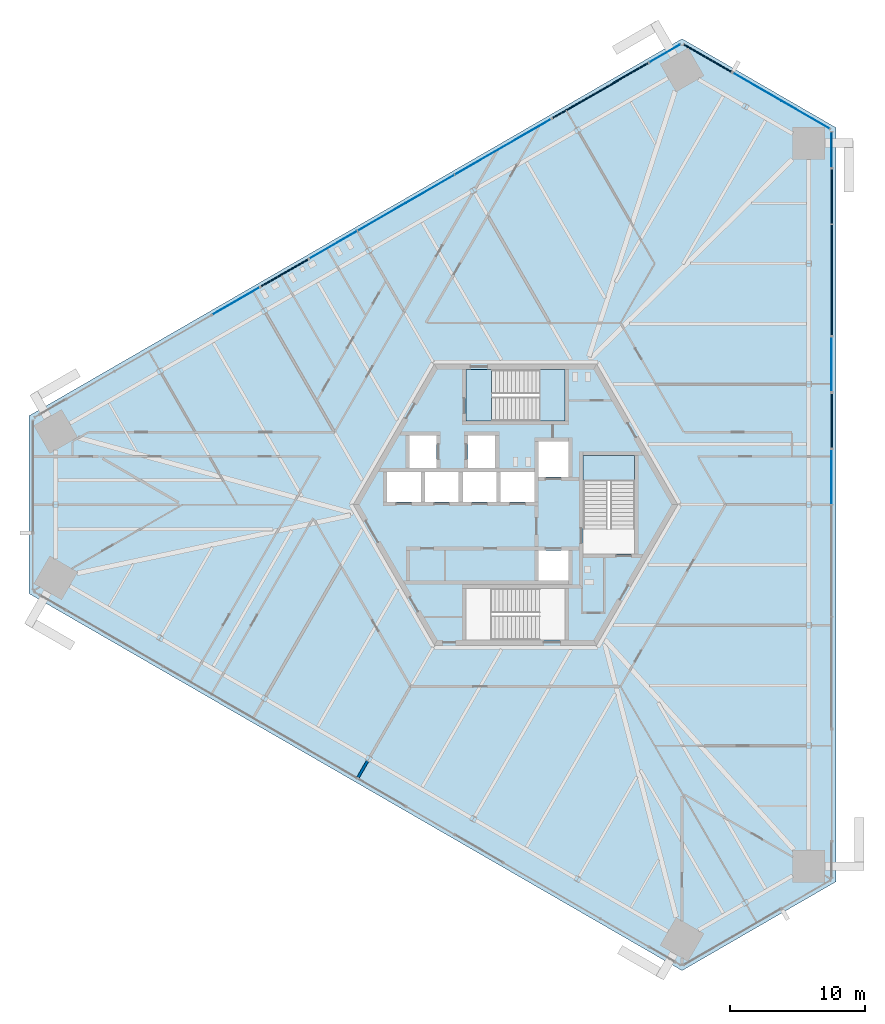
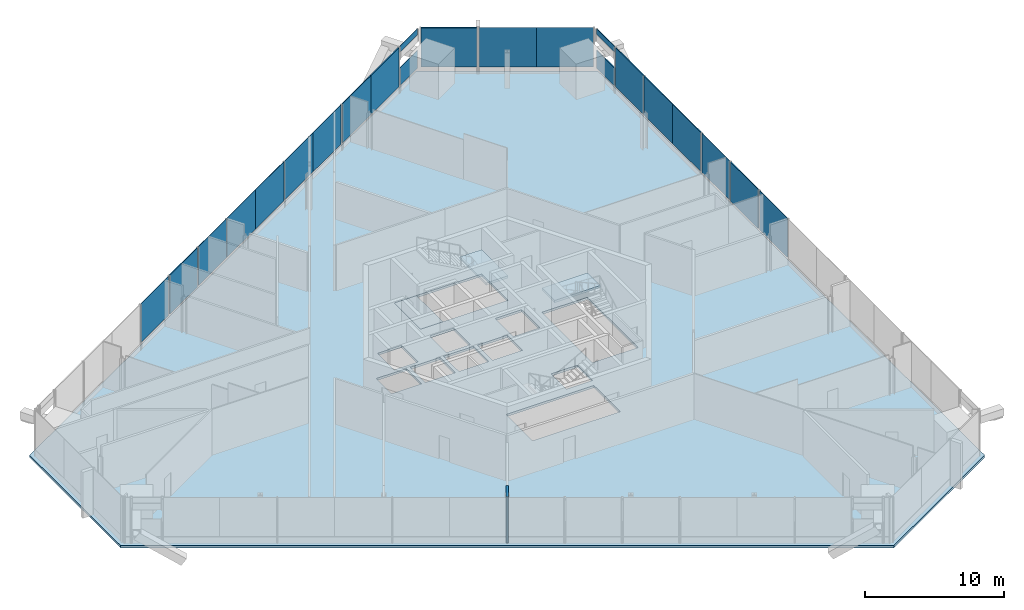
# One storey, part 15 of 22: 22 plates, 4 slabs, 1 wall, 16 elements without a shape of their own.
"""IFC4 building model written with IfcOpenShell, lengths in metres."""

from ifc_helpers import new_model, si_unit, direction, frame, frame_2d, origin, origin_2d, place, context, subcontext, project, spatial, polyline, rectangle, outline, extrude, source, transform, mapped, material, layer, layer_set, type_object, element, aggregate, save


model = new_model("IFC4")

# Units and contexts
model_context = context("Model", 3, precision=1e-05, world=origin(), true_north=direction((0.0, 1.0)))
body_context = subcontext(model_context, "Body", "Model", "MODEL_VIEW")
ifc_project = project(units=[si_unit("LENGTHUNIT", "METRE"), si_unit("AREAUNIT", "SQUARE_METRE"), si_unit("VOLUMEUNIT", "CUBIC_METRE"), si_unit("PLANEANGLEUNIT", "RADIAN"), si_unit("MASSUNIT", "GRAM", prefix="KILO")], contexts=[model_context])

# Site, building, storey
site_placement = place(None, origin())
site = spatial("IfcSite", under=ifc_project, at=site_placement, CompositionType="ELEMENT")
building_placement = place(site_placement, origin())
building = spatial("IfcBuilding", under=site, at=building_placement, Name="Triune Harvest Tower", CompositionType="ELEMENT")
storey_placement = place(building_placement, frame((0.0, 0.0, 50.39990234375)))
storey = spatial("IfcBuildingStorey", under=building, at=storey_placement, Name="L11", CompositionType="ELEMENT", Elevation=50.39990234375)

# Curtain wall, plate
ifc_material_1 = material(Name="Aluminium bronze anodised", Category="aluminium")
curtain_wall_type_1 = type_object("IfcCurtainWallType", Name="CW-3 Farm floor curtain wall", PredefinedType="NOTDEFINED", material=ifc_material_1)
curtain_wall_1_placement = place(storey_placement, origin())
curtain_wall_1 = element("IfcCurtainWall", 1, at=curtain_wall_1_placement, inside=storey, type_object=curtain_wall_type_1, Name="CW-3 B1-F3 L11 run 1")
ifc_material_2 = material(Name="Glass", Category="glass")
ifc_layer_1 = layer(ifc_material_2, 0.035888671875)
ifc_layer_set_1 = layer_set([ifc_layer_1], Name="Glass")
plate_type_1 = type_object("IfcPlateType", Name="GL-3 panel 36", PredefinedType="CURTAIN_PANEL", material=ifc_layer_set_1)
plate_1_placement = place(storey_placement, frame((11.046630859375, 33.36474609375, 0.60009765625), z_axis=(0.0, 0.0, 1.0), x_axis=(-0.866032176822, -0.499988268572, 0.0)))
plate_1 = element("IfcPlate", 2, at=plate_1_placement, type_object=plate_type_1, Name="CW-3 panel B1-F3 1.1", PredefinedType="CURTAIN_PANEL", context=body_context, shape_type="SweptSolid", body=[
    extrude(rectangle(XDim=2.575439453125, YDim=0.035888671875, at=origin_2d()), origin(), (0.0, 0.0, 1.0), 1.56494140625),
])
aggregate(curtain_wall_1, [plate_1])

# Slab
ifc_material_3 = material(Name="Concrete 40 MPa", Category="concrete")
ifc_layer_2 = layer(ifc_material_3, 0.199951171875)
ifc_layer_set_2 = layer_set([ifc_layer_2], Name="Concrete 40 MPa")
slab_type_1 = type_object("IfcSlabType", Name="SL-3 Composite floor slab 200", PredefinedType="FLOOR", material=ifc_layer_set_2)
shared_shape_1 = source(origin(), body_context, "Body", "SweptSolid", [
    extrude(outline(polyline([(23.67138671875, -27.8798828125), (23.67138671875, 27.8798828125), (12.30908203125, 34.43994140625), (-35.98046875, 6.56005859375), (-35.98046875, -6.56005859375), (12.30908203125, -34.43994140625), (23.67138671875, -27.8798828125)]), holes=[polyline([(-7.0, 0.2099609375), (-7.0, 2.409912109375), (-9.5, 2.409912109375), (-9.5, 0.2099609375), (-7.0, 0.2099609375)]), polyline([(-4.199951171875, 0.2099609375), (-4.199951171875, 2.409912109375), (-6.699951171875, 2.409912109375), (-6.699951171875, 0.2099609375), (-4.199951171875, 0.2099609375)]), polyline([(-1.39990234375, 0.2099609375), (-1.39990234375, 2.409912109375), (-3.89990234375, 2.409912109375), (-3.89990234375, 0.2099609375), (-1.39990234375, 0.2099609375)]), polyline([(1.39990234375, 0.2099609375), (1.39990234375, 2.409912109375), (-1.10009765625, 2.409912109375), (-1.10009765625, 0.2099609375), (1.39990234375, 0.2099609375)]), polyline([(3.89990234375, 2.06005859375), (3.89990234375, 4.659912109375), (1.699951171875, 4.659912109375), (1.699951171875, 2.06005859375), (3.89990234375, 2.06005859375)]), polyline([(3.89990234375, -5.590087890625), (3.89990234375, -3.389892578125), (1.699951171875, -3.389892578125), (1.699951171875, -5.590087890625), (3.89990234375, -5.590087890625)]), polyline([(-5.85009765625, 2.7099609375), (-5.85009765625, 5.110107421875), (-7.85009765625, 5.110107421875), (-7.85009765625, 2.7099609375), (-5.85009765625, 2.7099609375)]), polyline([(-1.5, 2.7099609375), (-1.5, 5.110107421875), (-3.5, 5.110107421875), (-3.5, 2.7099609375), (-1.5, 2.7099609375)]), polyline([(3.64990234375, 6.18994140625), (3.64990234375, 9.989990234375), (-3.64990234375, 9.989990234375), (-3.64990234375, 6.18994140625), (3.64990234375, 6.18994140625)]), polyline([(3.64990234375, -9.989990234375), (3.64990234375, -6.18994140625), (-3.64990234375, -6.18994140625), (-3.64990234375, -9.989990234375), (3.64990234375, -9.989990234375)]), polyline([(8.800048828125, -3.64990234375), (8.800048828125, 3.64990234375), (5.0, 3.64990234375), (5.0, -3.64990234375), (8.800048828125, -3.64990234375)])]), origin(), (0.0, 0.0, 1.0), 0.199951171875),
])
slab_1_placement = place(storey_placement, frame((0.0, 0.0, -0.199951171875)))
element("IfcSlab", 3, at=slab_1_placement, inside=storey, type_object=slab_type_1, Name="slab/L11/1", PredefinedType="FLOOR", context=body_context, shape_type="MappedRepresentation", body=[
    mapped(shared_shape_1, transform((0.0, 0.0, 0.0), scale=1.0)),
])

# Stair, slabs
ifc_material_4 = material(Name="Concrete 40 MPa", Category="concrete")
stair_type = type_object("IfcStairType", Name="Exit stair 1800 half turn", PredefinedType="HALF_TURN_STAIR", material=ifc_material_4)
stair_1_placement = place(storey_placement, origin())
stair_1 = element("IfcStair", 4, at=stair_1_placement, inside=storey, type_object=stair_type, Name="Exit stair north", PredefinedType="HALF_TURN_STAIR")
ifc_material_5 = material(Name="Concrete 40 MPa", Category="concrete")
ifc_layer_3 = layer(ifc_material_5, 0.199951171875)
ifc_layer_set_3 = layer_set([ifc_layer_3], Name="Concrete 40 MPa")
slab_type_2 = type_object("IfcSlabType", Name="Stair landing 200", PredefinedType="LANDING", material=ifc_layer_set_3)
shared_shape_2 = source(origin(), body_context, "Body", "SweptSolid", [
    extrude(outline(polyline([(-3.64990234375, 6.18994140625), (-1.780029296875, 6.18994140625), (-1.780029296875, 9.989990234375), (-3.64990234375, 9.989990234375), (-3.64990234375, 6.18994140625)])), origin(), (0.0, 0.0, 1.0), 0.199951171875),
])
slab_2_placement = place(storey_placement, frame((0.0, 0.0, -0.199951171875)))
slab_2 = element("IfcSlab", 5, at=slab_2_placement, type_object=slab_type_2, Name="ST-1 landing 1", PredefinedType="LANDING", context=body_context, shape_type="MappedRepresentation", body=[
    mapped(shared_shape_2, transform((0.0, 0.0, 0.0), scale=1.0)),
])
shared_shape_3 = source(origin(), body_context, "Body", "SweptSolid", [
    extrude(outline(polyline([(1.81005859375, 6.18994140625), (3.64990234375, 6.18994140625), (3.64990234375, 9.989990234375), (1.81005859375, 9.989990234375), (1.81005859375, 6.18994140625)])), origin(), (0.0, 0.0, 1.0), 0.199951171875),
])
slab_3_placement = place(storey_placement, frame((0.0, 0.0, 1.9501953125)))
slab_3 = element("IfcSlab", 6, at=slab_3_placement, type_object=slab_type_2, Name="ST-1 landing 2", PredefinedType="LANDING", context=body_context, shape_type="MappedRepresentation", body=[
    mapped(shared_shape_3, transform((0.0, 0.0, 0.0), scale=1.0)),
])
aggregate(stair_1, [slab_2, slab_3])

# Stair, slab
stair_2_placement = place(storey_placement, origin())
stair_2 = element("IfcStair", 7, at=stair_2_placement, inside=storey, type_object=stair_type, Name="Exit stair east", PredefinedType="HALF_TURN_STAIR")
shared_shape_4 = source(origin(), body_context, "Body", "SweptSolid", [
    extrude(outline(polyline([(8.800048828125, 1.81005859375), (8.800048828125, 3.64990234375), (5.0, 3.64990234375), (5.0, 1.81005859375), (8.800048828125, 1.81005859375)])), origin(), (0.0, 0.0, 1.0), 0.199951171875),
])
slab_4_placement = place(storey_placement, frame((0.0, 0.0, 1.9501953125)))
slab_4 = element("IfcSlab", 8, at=slab_4_placement, type_object=slab_type_2, Name="ST-3 landing 2", PredefinedType="LANDING", context=body_context, shape_type="MappedRepresentation", body=[
    mapped(shared_shape_4, transform((0.0, 0.0, 0.0), scale=1.0)),
])
aggregate(stair_2, [slab_4])

# Curtain wall, plate
ifc_material_6 = material(Name="Aluminium bronze anodised", Category="aluminium")
curtain_wall_type_2 = type_object("IfcCurtainWallType", Name="CW-8 Farm floor curtain wall with insulated spandrel infill", PredefinedType="NOTDEFINED", material=ifc_material_6)
curtain_wall_2_placement = place(storey_placement, origin())
curtain_wall_2 = element("IfcCurtainWall", 9, at=curtain_wall_2_placement, inside=storey, type_object=curtain_wall_type_2, Name="CW-8 B1-F1 L11 run 301")
ifc_material_7 = material(Name="Insulated spandrel panel, bronze aluminium pan", Category="aluminium")
ifc_layer_4 = layer(ifc_material_7, 0.080078125)
ifc_layer_set_4 = layer_set([ifc_layer_4], Name="Insulated spandrel panel, bronze aluminium pan")
plate_type_2 = type_object("IfcPlateType", Name="SP-1 insulated spandrel panel 80", PredefinedType="CURTAIN_PANEL", material=ifc_layer_set_4)
shared_shape_5 = source(origin(), body_context, "Body", "SweptSolid", [
    extrude(rectangle(XDim=2.575439453125, YDim=0.080078125, at=origin_2d()), origin(), (0.0, 0.0, 1.0), 1.56494140625),
])
plate_2_placement = place(storey_placement, frame((23.371337890625, 26.2490234375, 0.60009765625), z_axis=(0.0, 0.0, 1.0), x_axis=(0.0, 1.0, 0.0)))
plate_2 = element("IfcPlate", 10, at=plate_2_placement, type_object=plate_type_2, Name="CW-8 panel B1-F1 301.1", PredefinedType="CURTAIN_PANEL", context=body_context, shape_type="MappedRepresentation", body=[
    mapped(shared_shape_5, transform((0.0, 0.0, 0.0), scale=1.0)),
])
aggregate(curtain_wall_2, [plate_2])

curtain_wall_3_placement = place(storey_placement, origin())
curtain_wall_3 = element("IfcCurtainWall", 11, at=curtain_wall_3_placement, inside=storey, type_object=curtain_wall_type_1, Name="CW-3 B1-F1 L11 run 401")
shared_shape_6 = source(origin(), body_context, "Body", "SweptSolid", [
    extrude(rectangle(XDim=2.575439453125, YDim=0.035888671875, at=origin_2d()), origin(), (0.0, 0.0, 1.0), 0.514892578125),
])
plate_3_placement = place(storey_placement, frame((23.371337890625, 26.2490234375, 3.53515625), z_axis=(0.0, 0.0, 1.0), x_axis=(0.0, 1.0, 0.0)))
plate_3 = element("IfcPlate", 12, at=plate_3_placement, type_object=plate_type_1, Name="CW-3 panel B1-F1 401.1", PredefinedType="CURTAIN_PANEL", context=body_context, shape_type="MappedRepresentation", body=[
    mapped(shared_shape_6, transform((0.0, 0.0, 0.0), scale=1.0)),
])
aggregate(curtain_wall_3, [plate_3])

curtain_wall_4_placement = place(storey_placement, origin())
curtain_wall_4 = element("IfcCurtainWall", 13, at=curtain_wall_4_placement, inside=storey, type_object=curtain_wall_type_1, Name="CW-3 B1-F3 L11 run 101")
plate_4_placement = place(storey_placement, frame((11.046630859375, 33.36474609375, 3.53515625), z_axis=(0.0, 0.0, 1.0), x_axis=(-0.866032176822, -0.499988268572, 0.0)))
plate_4 = element("IfcPlate", 14, at=plate_4_placement, type_object=plate_type_1, Name="CW-3 panel B1-F3 101.1", PredefinedType="CURTAIN_PANEL", context=body_context, shape_type="MappedRepresentation", body=[
    mapped(shared_shape_6, transform((0.0, 0.0, 0.0), scale=1.0)),
])
aggregate(curtain_wall_4, [plate_4])

curtain_wall_5_placement = place(storey_placement, origin())
curtain_wall_5 = element("IfcCurtainWall", 15, at=curtain_wall_5_placement, inside=storey, type_object=curtain_wall_type_2, Name="CW-8 B1-F1 L11 run 4201")
shared_shape_7 = source(origin(), body_context, "Body", "SweptSolid", [
    extrude(rectangle(XDim=4.06689453125, YDim=0.080078125, at=origin_2d()), origin(), (0.0, 0.0, 1.0), 3.449951171875),
])
plate_5_placement = place(storey_placement, frame((23.371337890625, 14.55419921875, 0.60009765625), z_axis=(0.0, 0.0, 1.0), x_axis=(0.0, 1.0, 0.0)))
plate_5 = element("IfcPlate", 16, at=plate_5_placement, type_object=plate_type_2, Name="CW-8 panel B1-F1 4201.1", PredefinedType="CURTAIN_PANEL", context=body_context, shape_type="MappedRepresentation", body=[
    mapped(shared_shape_7, transform((0.0, 0.0, 0.0), scale=1.0)),
])

# Curtain wall, plates
curtain_wall_6_placement = place(storey_placement, origin())
curtain_wall_6 = element("IfcCurtainWall", 17, at=curtain_wall_6_placement, inside=storey, type_object=curtain_wall_type_2, Name="CW-8 B1-F3 L11 run 201")
plate_6_placement = place(storey_placement, frame((8.031982421875, 31.624267578125, 0.60009765625), z_axis=(0.0, 0.0, 1.0), x_axis=(-0.866024153026, -0.50000216637, 0.0)))
plate_6 = element("IfcPlate", 18, at=plate_6_placement, type_object=plate_type_2, Name="CW-8 panel B1-F3 201.1", PredefinedType="CURTAIN_PANEL", context=body_context, shape_type="MappedRepresentation", body=[
    mapped(shared_shape_7, transform((0.0, 0.0, 0.0), scale=1.0)),
])
plate_7_placement = place(storey_placement, frame((4.510009765625, 29.5908203125, 0.60009765625), z_axis=(0.0, 0.0, 1.0), x_axis=(-0.866024153026, -0.50000216637, 0.0)))
plate_7 = element("IfcPlate", 19, at=plate_7_placement, type_object=plate_type_2, Name="CW-8 panel B1-F3 201.2", PredefinedType="CURTAIN_PANEL", context=body_context, shape_type="MappedRepresentation", body=[
    mapped(shared_shape_7, transform((0.0, 0.0, 0.0), scale=1.0)),
])
aggregate(curtain_wall_6, [plate_6, plate_7])

curtain_wall_7_placement = place(storey_placement, origin())
curtain_wall_7 = element("IfcCurtainWall", 20, at=curtain_wall_7_placement, inside=storey, type_object=curtain_wall_type_1, Name="CW-3 B1-F3 L11 run 1201")
shared_shape_8 = source(origin(), body_context, "Body", "SweptSolid", [
    extrude(rectangle(XDim=4.06689453125, YDim=0.035888671875, at=origin_2d()), origin(), (0.0, 0.0, 1.0), 3.449951171875),
])
plate_8_placement = place(storey_placement, frame((0.849365234375, 27.477294921875, 0.60009765625), z_axis=(0.0, 0.0, 1.0), x_axis=(-0.86602640294, -0.499998269408, 0.0)))
plate_8 = element("IfcPlate", 21, at=plate_8_placement, type_object=plate_type_1, Name="CW-3 panel B1-F3 1201.1", PredefinedType="CURTAIN_PANEL", context=body_context, shape_type="MappedRepresentation", body=[
    mapped(shared_shape_8, transform((0.0, 0.0, 0.0), scale=1.0)),
])
shared_shape_9 = source(origin(), body_context, "Body", "SweptSolid", [
    extrude(rectangle(XDim=4.10693359375, YDim=0.035888671875, at=origin_2d()), origin(), (0.0, 0.0, 1.0), 3.449951171875),
])
plate_9_placement = place(storey_placement, frame((-2.68994140625, 25.433837890625, 0.60009765625), z_axis=(0.0, 0.0, 1.0), x_axis=(-0.86602640294, -0.499998269408, 0.0)))
plate_9 = element("IfcPlate", 22, at=plate_9_placement, type_object=plate_type_1, Name="CW-3 panel B1-F3 1201.2", PredefinedType="CURTAIN_PANEL", context=body_context, shape_type="MappedRepresentation", body=[
    mapped(shared_shape_9, transform((0.0, 0.0, 0.0), scale=1.0)),
])
plate_10_placement = place(storey_placement, frame((-6.31591796875, 23.34033203125, 0.60009765625), z_axis=(0.0, 0.0, 1.0), x_axis=(-0.86602640294, -0.499998269408, 0.0)))
plate_10 = element("IfcPlate", 23, at=plate_10_placement, type_object=plate_type_1, Name="CW-3 panel B1-F3 1201.3", PredefinedType="CURTAIN_PANEL", context=body_context, shape_type="MappedRepresentation", body=[
    mapped(shared_shape_9, transform((0.0, 0.0, 0.0), scale=1.0)),
])
plate_11_placement = place(storey_placement, frame((-9.872802734375, 21.286865234375, 0.60009765625), z_axis=(0.0, 0.0, 1.0), x_axis=(-0.86602640294, -0.499998269408, 0.0)))
plate_11 = element("IfcPlate", 24, at=plate_11_placement, type_object=plate_type_1, Name="CW-3 panel B1-F3 1201.4", PredefinedType="CURTAIN_PANEL", context=body_context, shape_type="MappedRepresentation", body=[
    mapped(shared_shape_9, transform((0.0, 0.0, 0.0), scale=1.0)),
])

# Curtain wall, plate
curtain_wall_8_placement = place(storey_placement, origin())
curtain_wall_8 = element("IfcCurtainWall", 25, at=curtain_wall_8_placement, inside=storey, type_object=curtain_wall_type_1, Name="CW-3 B1-F1 L11 run 1201")
shared_shape_10 = source(origin(), body_context, "Body", "SweptSolid", [
    extrude(rectangle(XDim=4.02685546875, YDim=0.035888671875, at=origin_2d()), origin(), (0.0, 0.0, 1.0), 3.449951171875),
])
plate_12_placement = place(storey_placement, frame((23.371337890625, 2.053466796875, 0.60009765625), z_axis=(0.0, 0.0, 1.0), x_axis=(0.0, 1.0, 0.0)))
plate_12 = element("IfcPlate", 26, at=plate_12_placement, type_object=plate_type_1, Name="CW-3 panel B1-F1 1201.5", PredefinedType="CURTAIN_PANEL", context=body_context, shape_type="MappedRepresentation", body=[
    mapped(shared_shape_10, transform((0.0, 0.0, 0.0), scale=1.0)),
])
aggregate(curtain_wall_8, [plate_12])

# Plate
plate_13_placement = place(storey_placement, frame((-13.464111328125, 19.213623046875, 0.60009765625), z_axis=(0.0, 0.0, 1.0), x_axis=(-0.86602640294, -0.499998269408, 0.0)))
plate_13 = element("IfcPlate", 27, at=plate_13_placement, type_object=plate_type_1, Name="CW-3 panel B1-F3 1201.5", PredefinedType="CURTAIN_PANEL", context=body_context, shape_type="MappedRepresentation", body=[
    mapped(shared_shape_10, transform((0.0, 0.0, 0.0), scale=1.0)),
])

aggregate(curtain_wall_7, [plate_8, plate_9, plate_10, plate_11, plate_13])

# Curtain wall, plate
curtain_wall_9_placement = place(storey_placement, origin())
curtain_wall_9 = element("IfcCurtainWall", 28, at=curtain_wall_9_placement, inside=storey, type_object=curtain_wall_type_2, Name="CW-8 B1-F1 L11 run 2201")
shared_shape_11 = source(origin(), body_context, "Body", "SweptSolid", [
    extrude(rectangle(XDim=3.98681640625, YDim=0.080078125, at=origin_2d()), origin(), (0.0, 0.0, 1.0), 3.449951171875),
])
plate_14_placement = place(storey_placement, frame((23.371337890625, 6.220458984375, 0.60009765625), z_axis=(0.0, 0.0, 1.0), x_axis=(0.0, 1.0, 0.0)))
plate_14 = element("IfcPlate", 29, at=plate_14_placement, type_object=plate_type_2, Name="CW-8 panel B1-F1 2201.1", PredefinedType="CURTAIN_PANEL", context=body_context, shape_type="MappedRepresentation", body=[
    mapped(shared_shape_11, transform((0.0, 0.0, 0.0), scale=1.0)),
])
aggregate(curtain_wall_9, [plate_14])

curtain_wall_10_placement = place(storey_placement, origin())
curtain_wall_10 = element("IfcCurtainWall", 30, at=curtain_wall_10_placement, inside=storey, type_object=curtain_wall_type_2, Name="CW-8 B1-F3 L11 run 2201")
plate_15_placement = place(storey_placement, frame((-17.07275390625, 17.130126953125, 0.60009765625), z_axis=(0.0, 0.0, 1.0), x_axis=(-0.866018932048, -0.500011209208, 0.0)))
plate_15 = element("IfcPlate", 31, at=plate_15_placement, type_object=plate_type_2, Name="CW-8 panel B1-F3 2201.1", PredefinedType="CURTAIN_PANEL", context=body_context, shape_type="MappedRepresentation", body=[
    mapped(shared_shape_11, transform((0.0, 0.0, 0.0), scale=1.0)),
])
aggregate(curtain_wall_10, [plate_15])

curtain_wall_11_placement = place(storey_placement, origin())
curtain_wall_11 = element("IfcCurtainWall", 32, at=curtain_wall_11_placement, inside=storey, type_object=curtain_wall_type_1, Name="CW-3 B1-F1 L11 run 3201")
shared_shape_12 = source(origin(), body_context, "Body", "SweptSolid", [
    extrude(rectangle(XDim=3.98681640625, YDim=0.035888671875, at=origin_2d()), origin(), (0.0, 0.0, 1.0), 3.449951171875),
])
plate_16_placement = place(storey_placement, frame((23.371337890625, 10.3671875, 0.60009765625), z_axis=(0.0, 0.0, 1.0), x_axis=(0.0, 1.0, 0.0)))
plate_16 = element("IfcPlate", 33, at=plate_16_placement, type_object=plate_type_1, Name="CW-3 panel B1-F1 3201.1", PredefinedType="CURTAIN_PANEL", context=body_context, shape_type="MappedRepresentation", body=[
    mapped(shared_shape_12, transform((0.0, 0.0, 0.0), scale=1.0)),
])
aggregate(curtain_wall_11, [plate_16])

curtain_wall_12_placement = place(storey_placement, origin())
curtain_wall_12 = element("IfcCurtainWall", 34, at=curtain_wall_12_placement, inside=storey, type_object=curtain_wall_type_1, Name="CW-3 B1-F3 L11 run 3201")
plate_17_placement = place(storey_placement, frame((-20.6640625, 15.056640625, 0.60009765625), z_axis=(0.0, 0.0, 1.0), x_axis=(-0.866029373971, -0.499993123372, 0.0)))
plate_17 = element("IfcPlate", 35, at=plate_17_placement, type_object=plate_type_1, Name="CW-3 panel B1-F3 3201.1", PredefinedType="CURTAIN_PANEL", context=body_context, shape_type="MappedRepresentation", body=[
    mapped(shared_shape_12, transform((0.0, 0.0, 0.0), scale=1.0)),
])
aggregate(curtain_wall_12, [plate_17])

# Plate
shared_shape_13 = source(origin(), body_context, "Body", "SweptSolid", [
    extrude(rectangle(XDim=4.10693359375, YDim=0.080078125, at=origin_2d()), origin(), (0.0, 0.0, 1.0), 3.449951171875),
])
plate_18_placement = place(storey_placement, frame((23.371337890625, 18.64111328125, 0.60009765625), z_axis=(0.0, 0.0, 1.0), x_axis=(0.0, 1.0, 0.0)))
plate_18 = element("IfcPlate", 36, at=plate_18_placement, type_object=plate_type_2, Name="CW-8 panel B1-F1 4201.2", PredefinedType="CURTAIN_PANEL", context=body_context, shape_type="MappedRepresentation", body=[
    mapped(shared_shape_13, transform((0.0, 0.0, 0.0), scale=1.0)),
])

shared_shape_14 = source(origin(), body_context, "Body", "SweptSolid", [
    extrude(rectangle(XDim=4.02685546875, YDim=0.080078125, at=origin_2d()), origin(), (0.0, 0.0, 1.0), 3.449951171875),
])
plate_19_placement = place(storey_placement, frame((23.371337890625, 22.787841796875, 0.60009765625), z_axis=(0.0, 0.0, 1.0), x_axis=(0.0, 1.0, 0.0)))
plate_19 = element("IfcPlate", 37, at=plate_19_placement, type_object=plate_type_2, Name="CW-8 panel B1-F1 4201.3", PredefinedType="CURTAIN_PANEL", context=body_context, shape_type="MappedRepresentation", body=[
    mapped(shared_shape_14, transform((0.0, 0.0, 0.0), scale=1.0)),
])

aggregate(curtain_wall_5, [plate_5, plate_18, plate_19])

# Curtain wall, plates
curtain_wall_13_placement = place(storey_placement, origin())
curtain_wall_13 = element("IfcCurtainWall", 38, at=curtain_wall_13_placement, inside=storey, type_object=curtain_wall_type_1, Name="CW-3 B1-F2 L11 run 1")
shared_shape_15 = source(origin(), body_context, "Body", "SweptSolid", [
    extrude(rectangle(XDim=4.117919921875, YDim=0.035888671875, at=origin_2d()), origin(), (0.0, 0.0, 1.0), 3.449951171875),
])
plate_20_placement = place(storey_placement, frame((21.441162109375, 28.8212890625, 0.60009765625), z_axis=(0.0, 0.0, 1.0), x_axis=(-0.866024848787, 0.500000961283, 0.0)))
plate_20 = element("IfcPlate", 39, at=plate_20_placement, type_object=plate_type_1, Name="CW-3 panel B1-F2 1.1", PredefinedType="CURTAIN_PANEL", context=body_context, shape_type="MappedRepresentation", body=[
    mapped(shared_shape_15, transform((0.0, 0.0, 0.0), scale=1.0)),
])
plate_21_placement = place(storey_placement, frame((17.875, 30.880126953125, 0.60009765625), z_axis=(0.0, 0.0, 1.0), x_axis=(-0.866024848787, 0.500000961283, 0.0)))
plate_21 = element("IfcPlate", 40, at=plate_21_placement, type_object=plate_type_1, Name="CW-3 panel B1-F2 1.2", PredefinedType="CURTAIN_PANEL", context=body_context, shape_type="MappedRepresentation", body=[
    mapped(shared_shape_15, transform((0.0, 0.0, 0.0), scale=1.0)),
])
aggregate(curtain_wall_13, [plate_20, plate_21])

# Curtain wall, plate
curtain_wall_14_placement = place(storey_placement, origin())
curtain_wall_14 = element("IfcCurtainWall", 41, at=curtain_wall_14_placement, inside=storey, type_object=curtain_wall_type_2, Name="CW-8 B1-F2 L11 run 1001")
shared_shape_16 = source(origin(), body_context, "Body", "SweptSolid", [
    extrude(rectangle(XDim=4.037841796875, YDim=0.080078125, at=origin_2d()), origin(), (0.0, 0.0, 1.0), 3.449951171875),
])
plate_22_placement = place(storey_placement, frame((14.204833984375, 32.999267578125, 0.60009765625), z_axis=(0.0, 0.0, 1.0), x_axis=(-0.866028739203, 0.499994222841, 0.0)))
plate_22 = element("IfcPlate", 42, at=plate_22_placement, type_object=plate_type_2, Name="CW-8 panel B1-F2 1001.1", PredefinedType="CURTAIN_PANEL", context=body_context, shape_type="MappedRepresentation", body=[
    mapped(shared_shape_16, transform((0.0, 0.0, 0.0), scale=1.0)),
])
aggregate(curtain_wall_14, [plate_22])

# Wall
ifc_material_8 = material(Name="Gypsum board on steel studs", Category="steel")
ifc_layer_5 = layer(ifc_material_8, 0.199951171875)
ifc_layer_set_5 = layer_set([ifc_layer_5], Name="Gypsum board on steel studs")
wall_type = type_object("IfcWallType", Name="Fire Wall 200 mm", PredefinedType="PARTITIONING", material=ifc_layer_set_5)
shared_shape_17 = source(origin(), body_context, "Body", "SweptSolid", [
    extrude(rectangle(XDim=1.49853515625, YDim=0.199951171875, at=frame_2d((0.749267578125, 0.0))), origin(), (0.0, 0.0, 1.0), 4.050048828125),
])
wall_placement = place(storey_placement, frame((-11.685791015625, -20.239990234375, 0.0), z_axis=(0.0, 0.0, 1.0), x_axis=(0.500169019818, 0.865927798153, 0.0)))
element("IfcWall", 43, at=wall_placement, inside=storey, type_object=wall_type, Name="Partition L11 047", PredefinedType="PARTITIONING", context=body_context, shape_type="MappedRepresentation", body=[
    mapped(shared_shape_17, transform((0.0, 0.0, 0.0), scale=1.0)),
])

save(model, "model.ifc")
